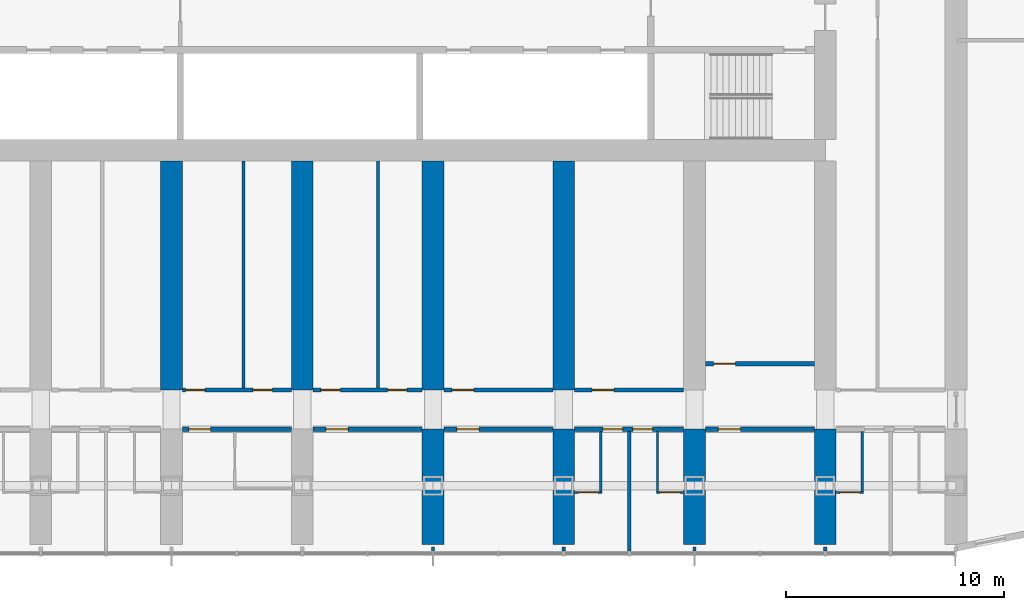
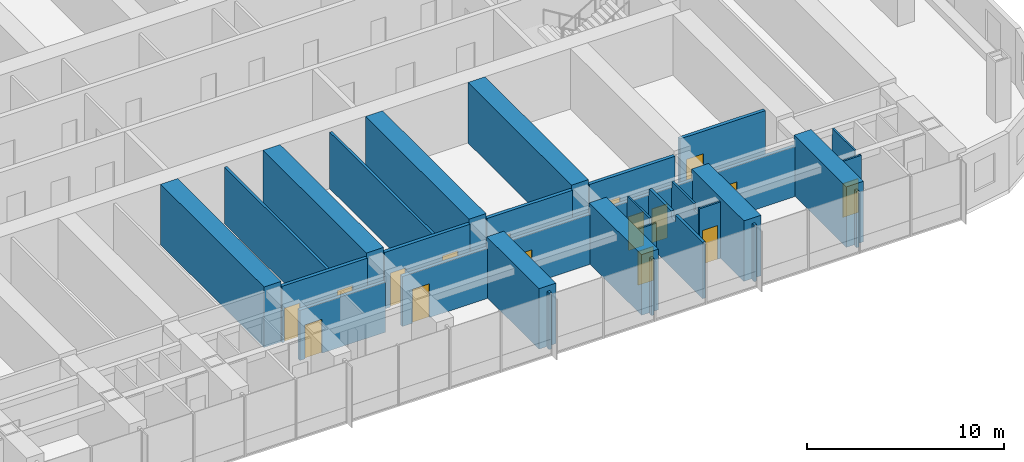
# One storey, part 12 of 23: 31 walls, 16 doors, 16 openings.
"""IFC4 building model written with IfcOpenShell, lengths in metres."""

from ifc_helpers import new_model, si_unit, direction, frame, frame_2d, origin, place, context, subcontext, project, spatial, polyline, rectangle, outline, extrude, material, layer, layer_set, type_object, element, fill, save


model = new_model("IFC4")

# Units and contexts
model_context = context("Model", 3, precision=1e-05, world=origin(), true_north=direction((0.0, 1.0)))
body_context = subcontext(model_context, "Body", "Model", "MODEL_VIEW")
ifc_project = project(units=[si_unit("LENGTHUNIT", "METRE"), si_unit("AREAUNIT", "SQUARE_METRE"), si_unit("VOLUMEUNIT", "CUBIC_METRE"), si_unit("PLANEANGLEUNIT", "RADIAN"), si_unit("MASSUNIT", "GRAM", prefix="KILO")], contexts=[model_context])

# Site, building, storey
site_placement = place(None, origin())
site = spatial("IfcSite", under=ifc_project, at=site_placement, CompositionType="ELEMENT")
building_placement = place(site_placement, origin())
building = spatial("IfcBuilding", under=site, at=building_placement, Name="Orbita Commons", CompositionType="ELEMENT")
storey_placement = place(building_placement, frame((0.0, 0.0, 46.449951171875)))
storey = spatial("IfcBuildingStorey", under=building, at=storey_placement, Name="L11", CompositionType="ELEMENT", Elevation=46.449951171875)

# Wall, opening, door
ifc_material_1 = material(Name="Concrete blockwork", Category="masonry")
ifc_layer_1 = layer(ifc_material_1, 0.199951171875)
ifc_layer_set_1 = layer_set([ifc_layer_1], Name="Concrete blockwork")
wall_type_1 = type_object("IfcWallType", Name="Corridor wall 200 blockwork", PredefinedType="SOLIDWALL", material=ifc_layer_set_1)
wall_1_placement = place(storey_placement, frame((36.5, 13.0, 0.0), z_axis=(0.0, 0.0, 1.0), x_axis=(1.0, 0.0, 0.0)))
wall_1 = element("IfcWall", 1, at=wall_1_placement, inside=storey, type_object=wall_type_1, Name="Corridor wall 200 blockwork L11", PredefinedType="SOLIDWALL", context=body_context, shape_type="SweptSolid", body=[
    extrude(outline(polyline([(0.0, 0.0), (5.0, 0.0), (5.0, 3.10009765625), (0.0, 3.10009765625), (0.0, 0.0)])), frame((0.0, 0.10009765625, 0.0), z_axis=(0.0, -1.0, 0.0), x_axis=(1.0, 0.0, 0.0)), (0.0, 0.0, 1.0), 0.199951171875),
])
opening_1_placement = place(wall_1_placement, frame((0.300048828125, 0.0, 0.0)))
opening_1 = element("IfcOpeningElement", 2, at=opening_1_placement, cuts=wall_1, Name="Opening D06", PredefinedType="OPENING", context=body_context, shape_type="SweptSolid", body=[
    extrude(rectangle(XDim=1.0, YDim=2.10009765625, at=frame_2d((0.5, 1.050048828125))), frame((0.0, 0.10986328125, 0.0), z_axis=(0.0, -1.0, 0.0), x_axis=(1.0, 0.0, 0.0)), (0.0, 0.0, 1.0), 0.219970703125),
])
ifc_material_2 = material(Name="Steel-faced fire door leaf", Category="steel")
door_type_1 = type_object("IfcDoorType", Name="Corridor door 20 min 1000x2100", OperationType="SINGLE_SWING_LEFT", PredefinedType="DOOR", material=ifc_material_2)
door_1_placement = place(opening_1_placement, origin())
door_1 = element("IfcDoor", 3, at=door_1_placement, inside=storey, type_object=door_type_1, Name="Accessible bedroom L11-S08 door", OperationType="SINGLE_SWING_LEFT", OverallHeight=2.10009765625, OverallWidth=1.0, PredefinedType="DOOR", context=body_context, shape_type="SweptSolid", body=[
    extrude(rectangle(XDim=1.0, YDim=2.10009765625, at=frame_2d((0.5, 1.050048828125))), frame((0.0, 0.02490234375, 0.0), z_axis=(0.0, -1.0, 0.0), x_axis=(1.0, 0.0, 0.0)), (0.0, 0.0, 1.0), 0.050048828125),
])
fill(opening_1, door_1)

wall_2_placement = place(storey_placement, frame((42.5, 13.0, 0.0), z_axis=(0.0, 0.0, 1.0), x_axis=(1.0, 0.0, 0.0)))
wall_2 = element("IfcWall", 4, at=wall_2_placement, inside=storey, type_object=wall_type_1, Name="Corridor wall 200 blockwork L11", PredefinedType="SOLIDWALL", context=body_context, shape_type="SweptSolid", body=[
    extrude(outline(polyline([(0.0, 0.0), (5.0, 0.0), (5.0, 3.10009765625), (0.0, 3.10009765625), (0.0, 0.0)])), frame((0.0, 0.10009765625, 0.0), z_axis=(0.0, -1.0, 0.0), x_axis=(1.0, 0.0, 0.0)), (0.0, 0.0, 1.0), 0.199951171875),
])
opening_2_placement = place(wall_2_placement, frame((0.60009765625, 0.0, 0.0)))
opening_2 = element("IfcOpeningElement", 5, at=opening_2_placement, cuts=wall_2, Name="Opening D06", PredefinedType="OPENING", context=body_context, shape_type="SweptSolid", body=[
    extrude(rectangle(XDim=1.0, YDim=2.10009765625, at=frame_2d((0.5, 1.050048828125))), frame((0.0, 0.10986328125, 0.0), z_axis=(0.0, -1.0, 0.0), x_axis=(1.0, 0.0, 0.0)), (0.0, 0.0, 1.0), 0.219970703125),
])
door_2_placement = place(opening_2_placement, origin())
door_2 = element("IfcDoor", 6, at=door_2_placement, inside=storey, type_object=door_type_1, Name="House study room L11-S10 door", OperationType="SINGLE_SWING_LEFT", OverallHeight=2.10009765625, OverallWidth=1.0, PredefinedType="DOOR", context=body_context, shape_type="SweptSolid", body=[
    extrude(rectangle(XDim=1.0, YDim=2.10009765625, at=frame_2d((0.5, 1.050048828125))), frame((0.0, 0.02490234375, 0.0), z_axis=(0.0, -1.0, 0.0), x_axis=(1.0, 0.0, 0.0)), (0.0, 0.0, 1.0), 0.050048828125),
])
fill(opening_2, door_2)

wall_3_placement = place(storey_placement, frame((48.5, 13.0, 0.0), z_axis=(0.0, 0.0, 1.0), x_axis=(1.0, 0.0, 0.0)))
wall_3 = element("IfcWall", 7, at=wall_3_placement, inside=storey, type_object=wall_type_1, Name="Corridor wall 200 blockwork L11", PredefinedType="SOLIDWALL", context=body_context, shape_type="SweptSolid", body=[
    extrude(outline(polyline([(0.0, 0.0), (5.0, 0.0), (5.0, 3.10009765625), (0.0, 3.10009765625), (0.0, 0.0)])), frame((0.0, 0.10009765625, 0.0), z_axis=(0.0, -1.0, 0.0), x_axis=(1.0, 0.0, 0.0)), (0.0, 0.0, 1.0), 0.199951171875),
])
opening_3_placement = place(wall_3_placement, frame((0.60009765625, 0.0, 0.0)))
opening_3 = element("IfcOpeningElement", 8, at=opening_3_placement, cuts=wall_3, Name="Opening D06", PredefinedType="OPENING", context=body_context, shape_type="SweptSolid", body=[
    extrude(rectangle(XDim=1.0, YDim=2.10009765625, at=frame_2d((0.5, 1.050048828125))), frame((0.0, 0.10986328125, 0.0), z_axis=(0.0, -1.0, 0.0), x_axis=(1.0, 0.0, 0.0)), (0.0, 0.0, 1.0), 0.219970703125),
])
door_3_placement = place(opening_3_placement, origin())
door_3 = element("IfcDoor", 9, at=door_3_placement, inside=storey, type_object=door_type_1, Name="House kitchen-diner L11-S12 door", OperationType="SINGLE_SWING_LEFT", OverallHeight=2.10009765625, OverallWidth=1.0, PredefinedType="DOOR", context=body_context, shape_type="SweptSolid", body=[
    extrude(rectangle(XDim=1.0, YDim=2.10009765625, at=frame_2d((0.5, 1.050048828125))), frame((0.0, 0.02490234375, 0.0), z_axis=(0.0, -1.0, 0.0), x_axis=(1.0, 0.0, 0.0)), (0.0, 0.0, 1.0), 0.050048828125),
])
fill(opening_3, door_3)

# Wall, openings, doors
wall_4_placement = place(storey_placement, frame((54.5, 13.0, 0.0), z_axis=(0.0, 0.0, 1.0), x_axis=(1.0, 0.0, 0.0)))
wall_4 = element("IfcWall", 10, at=wall_4_placement, inside=storey, type_object=wall_type_1, Name="Corridor wall 200 blockwork L11", PredefinedType="SOLIDWALL", context=body_context, shape_type="SweptSolid", body=[
    extrude(outline(polyline([(0.0, 0.0), (5.0, 0.0), (5.0, 3.10009765625), (0.0, 3.10009765625), (0.0, 0.0)])), frame((0.0, 0.10009765625, 0.0), z_axis=(0.0, -1.0, 0.0), x_axis=(1.0, 0.0, 0.0)), (0.0, 0.0, 1.0), 0.199951171875),
])
opening_4_placement = place(wall_4_placement, frame((1.300048828125, 0.0, 0.0)))
opening_4 = element("IfcOpeningElement", 11, at=opening_4_placement, cuts=wall_4, Name="Opening D11", PredefinedType="OPENING", context=body_context, shape_type="SweptSolid", body=[
    extrude(rectangle(XDim=0.89990234375, YDim=2.10009765625, at=frame_2d((0.449951171875, 1.050048828125))), frame((0.0, 0.10986328125, 0.0), z_axis=(0.0, -1.0, 0.0), x_axis=(1.0, 0.0, 0.0)), (0.0, 0.0, 1.0), 0.219970703125),
])
opening_5_placement = place(wall_4_placement, frame((2.675048828125, 0.0, 0.0)))
opening_5 = element("IfcOpeningElement", 12, at=opening_5_placement, cuts=wall_4, Name="Opening D11", PredefinedType="OPENING", context=body_context, shape_type="SweptSolid", body=[
    extrude(rectangle(XDim=0.89990234375, YDim=2.10009765625, at=frame_2d((0.449951171875, 1.050048828125))), frame((0.0, 0.10986328125, 0.0), z_axis=(0.0, -1.0, 0.0), x_axis=(1.0, 0.0, 0.0)), (0.0, 0.0, 1.0), 0.219970703125),
])
ifc_material_3 = material(Name="Steel-faced fire door leaf", Category="steel")
door_type_2 = type_object("IfcDoorType", Name="Corridor door 20 min 900x2100", OperationType="SINGLE_SWING_LEFT", PredefinedType="DOOR", material=ifc_material_3)
door_4_placement = place(opening_4_placement, origin())
door_4 = element("IfcDoor", 13, at=door_4_placement, inside=storey, type_object=door_type_2, Name="House bedroom L11-S14 door", OperationType="SINGLE_SWING_LEFT", OverallHeight=2.10009765625, OverallWidth=0.89990234375, PredefinedType="DOOR", context=body_context, shape_type="SweptSolid", body=[
    extrude(rectangle(XDim=0.89990234375, YDim=2.10009765625, at=frame_2d((0.449951171875, 1.050048828125))), frame((0.0, 0.02490234375, 0.0), z_axis=(0.0, -1.0, 0.0), x_axis=(1.0, 0.0, 0.0)), (0.0, 0.0, 1.0), 0.050048828125),
])
fill(opening_4, door_4)
door_5_placement = place(opening_5_placement, origin())
door_5 = element("IfcDoor", 14, at=door_5_placement, inside=storey, type_object=door_type_2, Name="House bedroom L11-S15 door", OperationType="SINGLE_SWING_LEFT", OverallHeight=2.10009765625, OverallWidth=0.89990234375, PredefinedType="DOOR", context=body_context, shape_type="SweptSolid", body=[
    extrude(rectangle(XDim=0.89990234375, YDim=2.10009765625, at=frame_2d((0.449951171875, 1.050048828125))), frame((0.0, 0.02490234375, 0.0), z_axis=(0.0, -1.0, 0.0), x_axis=(1.0, 0.0, 0.0)), (0.0, 0.0, 1.0), 0.050048828125),
])
fill(opening_5, door_5)

# Wall, opening, door
wall_5_placement = place(storey_placement, frame((60.5, 13.0, 0.0), z_axis=(0.0, 0.0, 1.0), x_axis=(1.0, 0.0, 0.0)))
wall_5 = element("IfcWall", 15, at=wall_5_placement, inside=storey, type_object=wall_type_1, Name="Corridor wall 200 blockwork L11", PredefinedType="SOLIDWALL", context=body_context, shape_type="SweptSolid", body=[
    extrude(outline(polyline([(0.0, 0.0), (5.0, 0.0), (5.0, 3.10009765625), (0.0, 3.10009765625), (0.0, 0.0)])), frame((0.0, 0.10009765625, 0.0), z_axis=(0.0, -1.0, 0.0), x_axis=(1.0, 0.0, 0.0)), (0.0, 0.0, 1.0), 0.199951171875),
])
opening_6_placement = place(wall_5_placement, frame((0.60009765625, 0.0, 0.0)))
opening_6 = element("IfcOpeningElement", 16, at=opening_6_placement, cuts=wall_5, Name="Opening D06", PredefinedType="OPENING", context=body_context, shape_type="SweptSolid", body=[
    extrude(rectangle(XDim=1.0, YDim=2.10009765625, at=frame_2d((0.5, 1.050048828125))), frame((0.0, 0.10986328125, 0.0), z_axis=(0.0, -1.0, 0.0), x_axis=(1.0, 0.0, 0.0)), (0.0, 0.0, 1.0), 0.219970703125),
])
door_6_placement = place(opening_6_placement, origin())
door_6 = element("IfcDoor", 17, at=door_6_placement, inside=storey, type_object=door_type_1, Name="House common room L11-S16 door", OperationType="SINGLE_SWING_LEFT", OverallHeight=2.10009765625, OverallWidth=1.0, PredefinedType="DOOR", context=body_context, shape_type="SweptSolid", body=[
    extrude(rectangle(XDim=1.0, YDim=2.10009765625, at=frame_2d((0.5, 1.050048828125))), frame((0.0, 0.02490234375, 0.0), z_axis=(0.0, -1.0, 0.0), x_axis=(1.0, 0.0, 0.0)), (0.0, 0.0, 1.0), 0.050048828125),
])
fill(opening_6, door_6)

# Wall, openings, doors
ifc_material_4 = material(Name="Hollow concrete block 200", Category="concrete")
ifc_layer_2 = layer(ifc_material_4, 0.199951171875)
ifc_layer_set_2 = layer_set([ifc_layer_2], Name="Hollow concrete block 200")
wall_type_2 = type_object("IfcWallType", Name="Corridor wall 200 hollow concrete block", PredefinedType="SOLIDWALL", material=ifc_layer_set_2)
wall_6_placement = place(storey_placement, frame((36.5, 14.800048828125, 0.0), z_axis=(0.0, 0.0, 1.0), x_axis=(1.0, 0.0, 0.0)))
wall_6 = element("IfcWall", 18, at=wall_6_placement, inside=storey, type_object=wall_type_2, Name="Corridor wall 200 hollow concrete block L11", PredefinedType="SOLIDWALL", context=body_context, shape_type="SweptSolid", body=[
    extrude(rectangle(XDim=5.0, YDim=0.199951171875, at=frame_2d((2.5, 0.0))), origin(), (0.0, 0.0, 1.0), 3.5),
])
opening_7_placement = place(wall_6_placement, frame((0.14990234375, 0.0, 0.0)))
opening_7 = element("IfcOpeningElement", 19, at=opening_7_placement, cuts=wall_6, Name="Opening D11", PredefinedType="OPENING", context=body_context, shape_type="SweptSolid", body=[
    extrude(rectangle(XDim=0.89990234375, YDim=2.10009765625, at=frame_2d((0.449951171875, 1.050048828125))), frame((0.0, 0.10986328125, 0.0), z_axis=(0.0, -1.0, 0.0), x_axis=(1.0, 0.0, 0.0)), (0.0, 0.0, 1.0), 0.219970703125),
])
opening_8_placement = place(wall_6_placement, frame((3.235107421875, 0.0, 0.0)))
opening_8 = element("IfcOpeningElement", 20, at=opening_8_placement, cuts=wall_6, Name="Opening D11", PredefinedType="OPENING", context=body_context, shape_type="SweptSolid", body=[
    extrude(rectangle(XDim=0.89990234375, YDim=2.10009765625, at=frame_2d((0.449951171875, 1.050048828125))), frame((0.0, 0.10986328125, 0.0), z_axis=(0.0, -1.0, 0.0), x_axis=(1.0, 0.0, 0.0)), (0.0, 0.0, 1.0), 0.219970703125),
])
door_7_placement = place(opening_7_placement, origin())
door_7 = element("IfcDoor", 21, at=door_7_placement, inside=storey, type_object=door_type_2, Name="Group meeting room L11-BDS36 door", OperationType="SINGLE_SWING_LEFT", OverallHeight=2.10009765625, OverallWidth=0.89990234375, PredefinedType="DOOR", context=body_context, shape_type="SweptSolid", body=[
    extrude(rectangle(XDim=0.89990234375, YDim=2.10009765625, at=frame_2d((0.449951171875, 1.050048828125))), frame((0.0, 0.02490234375, 0.0), z_axis=(0.0, -1.0, 0.0), x_axis=(1.0, 0.0, 0.0)), (0.0, 0.0, 1.0), 0.050048828125),
])
fill(opening_7, door_7)
door_8_placement = place(opening_8_placement, origin())
door_8 = element("IfcDoor", 22, at=door_8_placement, inside=storey, type_object=door_type_2, Name="Water heater cupboard L11-BDS36n door", OperationType="SINGLE_SWING_LEFT", OverallHeight=2.10009765625, OverallWidth=0.89990234375, PredefinedType="DOOR", context=body_context, shape_type="SweptSolid", body=[
    extrude(rectangle(XDim=0.89990234375, YDim=2.10009765625, at=frame_2d((0.449951171875, 1.050048828125))), frame((0.0, 0.02490234375, 0.0), z_axis=(0.0, -1.0, 0.0), x_axis=(1.0, 0.0, 0.0)), (0.0, 0.0, 1.0), 0.050048828125),
])
fill(opening_8, door_8)

wall_7_placement = place(storey_placement, frame((42.5, 14.800048828125, 0.0), z_axis=(0.0, 0.0, 1.0), x_axis=(1.0, 0.0, 0.0)))
wall_7 = element("IfcWall", 23, at=wall_7_placement, inside=storey, type_object=wall_type_2, Name="Corridor wall 200 hollow concrete block L11", PredefinedType="SOLIDWALL", context=body_context, shape_type="SweptSolid", body=[
    extrude(rectangle(XDim=5.0, YDim=0.199951171875, at=frame_2d((2.5, 0.0))), origin(), (0.0, 0.0, 1.0), 3.5),
])
opening_9_placement = place(wall_7_placement, frame((0.35009765625, 0.0, 0.0)))
opening_9 = element("IfcOpeningElement", 24, at=opening_9_placement, cuts=wall_7, Name="Opening D11", PredefinedType="OPENING", context=body_context, shape_type="SweptSolid", body=[
    extrude(rectangle(XDim=0.89990234375, YDim=2.10009765625, at=frame_2d((0.449951171875, 1.050048828125))), frame((0.0, 0.10986328125, 0.0), z_axis=(0.0, -1.0, 0.0), x_axis=(1.0, 0.0, 0.0)), (0.0, 0.0, 1.0), 0.219970703125),
])
opening_10_placement = place(wall_7_placement, frame((3.405029296875, 0.0, 0.0)))
opening_10 = element("IfcOpeningElement", 25, at=opening_10_placement, cuts=wall_7, Name="Opening D11", PredefinedType="OPENING", context=body_context, shape_type="SweptSolid", body=[
    extrude(rectangle(XDim=0.89990234375, YDim=2.10009765625, at=frame_2d((0.449951171875, 1.050048828125))), frame((0.0, 0.10986328125, 0.0), z_axis=(0.0, -1.0, 0.0), x_axis=(1.0, 0.0, 0.0)), (0.0, 0.0, 1.0), 0.219970703125),
])
door_9_placement = place(opening_9_placement, origin())
door_9 = element("IfcDoor", 26, at=door_9_placement, inside=storey, type_object=door_type_2, Name="Equipment store L11-BDS42n door", OperationType="SINGLE_SWING_LEFT", OverallHeight=2.10009765625, OverallWidth=0.89990234375, PredefinedType="DOOR", context=body_context, shape_type="SweptSolid", body=[
    extrude(rectangle(XDim=0.89990234375, YDim=2.10009765625, at=frame_2d((0.449951171875, 1.050048828125))), frame((0.0, 0.02490234375, 0.0), z_axis=(0.0, -1.0, 0.0), x_axis=(1.0, 0.0, 0.0)), (0.0, 0.0, 1.0), 0.050048828125),
])
fill(opening_9, door_9)
door_10_placement = place(opening_10_placement, origin())
door_10 = element("IfcDoor", 27, at=door_10_placement, inside=storey, type_object=door_type_2, Name="Linen store L11-BDS42 door", OperationType="SINGLE_SWING_LEFT", OverallHeight=2.10009765625, OverallWidth=0.89990234375, PredefinedType="DOOR", context=body_context, shape_type="SweptSolid", body=[
    extrude(rectangle(XDim=0.89990234375, YDim=2.10009765625, at=frame_2d((0.449951171875, 1.050048828125))), frame((0.0, 0.02490234375, 0.0), z_axis=(0.0, -1.0, 0.0), x_axis=(1.0, 0.0, 0.0)), (0.0, 0.0, 1.0), 0.050048828125),
])
fill(opening_10, door_10)

# Wall, opening, door
wall_8_placement = place(storey_placement, frame((48.5, 14.800048828125, 0.0), z_axis=(0.0, 0.0, 1.0), x_axis=(1.0, 0.0, 0.0)))
wall_8 = element("IfcWall", 28, at=wall_8_placement, inside=storey, type_object=wall_type_2, Name="Corridor wall 200 hollow concrete block L11", PredefinedType="SOLIDWALL", context=body_context, shape_type="SweptSolid", body=[
    extrude(rectangle(XDim=5.0, YDim=0.199951171875, at=frame_2d((2.5, 0.0))), origin(), (0.0, 0.0, 1.0), 3.5),
])
opening_11_placement = place(wall_8_placement, frame((0.375, 0.0, 0.0)))
opening_11 = element("IfcOpeningElement", 29, at=opening_11_placement, cuts=wall_8, Name="Opening D06", PredefinedType="OPENING", context=body_context, shape_type="SweptSolid", body=[
    extrude(rectangle(XDim=1.0, YDim=2.10009765625, at=frame_2d((0.5, 1.050048828125))), frame((0.0, 0.10986328125, 0.0), z_axis=(0.0, -1.0, 0.0), x_axis=(1.0, 0.0, 0.0)), (0.0, 0.0, 1.0), 0.219970703125),
])
door_11_placement = place(opening_11_placement, origin())
door_11 = element("IfcDoor", 30, at=door_11_placement, inside=storey, type_object=door_type_1, Name="Drying room L11-BDS48 door", OperationType="SINGLE_SWING_LEFT", OverallHeight=2.10009765625, OverallWidth=1.0, PredefinedType="DOOR", context=body_context, shape_type="SweptSolid", body=[
    extrude(rectangle(XDim=1.0, YDim=2.10009765625, at=frame_2d((0.5, 1.050048828125))), frame((0.0, 0.02490234375, 0.0), z_axis=(0.0, -1.0, 0.0), x_axis=(1.0, 0.0, 0.0)), (0.0, 0.0, 1.0), 0.050048828125),
])
fill(opening_11, door_11)

wall_9_placement = place(storey_placement, frame((54.5, 14.800048828125, 0.0), z_axis=(0.0, 0.0, 1.0), x_axis=(1.0, 0.0, 0.0)))
wall_9 = element("IfcWall", 31, at=wall_9_placement, inside=storey, type_object=wall_type_2, Name="Corridor wall 200 hollow concrete block L11", PredefinedType="SOLIDWALL", context=body_context, shape_type="SweptSolid", body=[
    extrude(rectangle(XDim=5.0, YDim=0.199951171875, at=frame_2d((2.5, 0.0))), origin(), (0.0, 0.0, 1.0), 3.5),
])
opening_12_placement = place(wall_9_placement, frame((0.800048828125, 0.0, 0.0)))
opening_12 = element("IfcOpeningElement", 32, at=opening_12_placement, cuts=wall_9, Name="Opening D06", PredefinedType="OPENING", context=body_context, shape_type="SweptSolid", body=[
    extrude(rectangle(XDim=1.0, YDim=2.10009765625, at=frame_2d((0.5, 1.050048828125))), frame((0.0, 0.10986328125, 0.0), z_axis=(0.0, -1.0, 0.0), x_axis=(1.0, 0.0, 0.0)), (0.0, 0.0, 1.0), 0.219970703125),
])
door_12_placement = place(opening_12_placement, origin())
door_12 = element("IfcDoor", 33, at=door_12_placement, inside=storey, type_object=door_type_1, Name="Ventilation plant room north L11-BDS54 door", OperationType="SINGLE_SWING_LEFT", OverallHeight=2.10009765625, OverallWidth=1.0, PredefinedType="DOOR", context=body_context, shape_type="SweptSolid", body=[
    extrude(rectangle(XDim=1.0, YDim=2.10009765625, at=frame_2d((0.5, 1.050048828125))), frame((0.0, 0.02490234375, 0.0), z_axis=(0.0, -1.0, 0.0), x_axis=(1.0, 0.0, 0.0)), (0.0, 0.0, 1.0), 0.050048828125),
])
fill(opening_12, door_12)

wall_10_placement = place(storey_placement, frame((60.5, 16.0, 0.0), z_axis=(0.0, 0.0, 1.0), x_axis=(1.0, 0.0, 0.0)))
wall_10 = element("IfcWall", 34, at=wall_10_placement, inside=storey, type_object=wall_type_2, Name="Corridor wall 200 hollow concrete block L11", PredefinedType="SOLIDWALL", context=body_context, shape_type="SweptSolid", body=[
    extrude(rectangle(XDim=5.0, YDim=0.199951171875, at=frame_2d((2.5, 0.0))), origin(), (0.0, 0.0, 1.0), 3.5),
])
opening_13_placement = place(wall_10_placement, frame((0.375, 0.0, 0.0)))
opening_13 = element("IfcOpeningElement", 35, at=opening_13_placement, cuts=wall_10, Name="Opening D06", PredefinedType="OPENING", context=body_context, shape_type="SweptSolid", body=[
    extrude(rectangle(XDim=1.0, YDim=2.10009765625, at=frame_2d((0.5, 1.050048828125))), frame((0.0, 0.10986328125, 0.0), z_axis=(0.0, -1.0, 0.0), x_axis=(1.0, 0.0, 0.0)), (0.0, 0.0, 1.0), 0.219970703125),
])
door_13_placement = place(opening_13_placement, origin())
door_13 = element("IfcDoor", 36, at=door_13_placement, inside=storey, type_object=door_type_1, Name="Electrical and data room L11-BDS60 door", OperationType="SINGLE_SWING_LEFT", OverallHeight=2.10009765625, OverallWidth=1.0, PredefinedType="DOOR", context=body_context, shape_type="SweptSolid", body=[
    extrude(rectangle(XDim=1.0, YDim=2.10009765625, at=frame_2d((0.5, 1.050048828125))), frame((0.0, 0.02490234375, 0.0), z_axis=(0.0, -1.0, 0.0), x_axis=(1.0, 0.0, 0.0)), (0.0, 0.0, 1.0), 0.050048828125),
])
fill(opening_13, door_13)

# Walls
ifc_material_5 = material(Name="Concrete C50/60", Category="concrete")
ifc_layer_3 = layer(ifc_material_5, 1.0)
ifc_layer_set_3 = layer_set([ifc_layer_3], Name="Concrete C50/60")
wall_type_3 = type_object("IfcWallType", Name="Cross wall 1000 C50/60", PredefinedType="SHEAR", material=ifc_layer_set_3)
for number, where, z_axis, x_axis, name in (
    (37, (36.0, 14.800048828125, 0.0), (0.0, 0.0, 1.0), (0.0, 1.0, 0.0), "Cross wall 7 south inner L11"),
    (38, (42.0, 14.800048828125, 0.0), (0.0, 0.0, 1.0), (0.0, 1.0, 0.0), "Cross wall 8 south inner L11"),
):
    element("IfcWall", number, at=place(storey_placement, frame(where, z_axis=z_axis, x_axis=x_axis)), inside=storey, type_object=wall_type_3, Name=name, PredefinedType="SHEAR", context=body_context, shape_type="SweptSolid", body=[
        extrude(rectangle(XDim=10.5, YDim=1.0, at=frame_2d((5.25, 0.0))), origin(), (0.0, 0.0, 1.0), 3.75),
    ])
wall_11_placement = place(storey_placement, frame((48.0, 7.699951171875, 0.0), z_axis=(0.0, 0.0, 1.0), x_axis=(0.0, 1.0, 0.0)))
element("IfcWall", 39, at=wall_11_placement, inside=storey, type_object=wall_type_3, Name="Cross wall 9 south outer L11", PredefinedType="SHEAR", context=body_context, shape_type="SweptSolid", body=[
    extrude(rectangle(XDim=5.300048828125, YDim=1.0, at=frame_2d((2.64990234375, 0.0))), origin(), (0.0, 0.0, 1.0), 3.75),
])
wall_12_placement = place(storey_placement, frame((48.0, 14.800048828125, 0.0), z_axis=(0.0, 0.0, 1.0), x_axis=(0.0, 1.0, 0.0)))
element("IfcWall", 40, at=wall_12_placement, inside=storey, type_object=wall_type_3, Name="Cross wall 9 south inner L11", PredefinedType="SHEAR", context=body_context, shape_type="SweptSolid", body=[
    extrude(rectangle(XDim=10.5, YDim=1.0, at=frame_2d((5.25, 0.0))), origin(), (0.0, 0.0, 1.0), 3.75),
])
wall_13_placement = place(storey_placement, frame((54.0, 7.699951171875, 0.0), z_axis=(0.0, 0.0, 1.0), x_axis=(0.0, 1.0, 0.0)))
element("IfcWall", 41, at=wall_13_placement, inside=storey, type_object=wall_type_3, Name="Cross wall 10 south outer L11", PredefinedType="SHEAR", context=body_context, shape_type="SweptSolid", body=[
    extrude(rectangle(XDim=5.300048828125, YDim=1.0, at=frame_2d((2.64990234375, 0.0))), origin(), (0.0, 0.0, 1.0), 3.75),
])
wall_14_placement = place(storey_placement, frame((54.0, 14.800048828125, 0.0), z_axis=(0.0, 0.0, 1.0), x_axis=(0.0, 1.0, 0.0)))
element("IfcWall", 42, at=wall_14_placement, inside=storey, type_object=wall_type_3, Name="Cross wall 10 south inner L11", PredefinedType="SHEAR", context=body_context, shape_type="SweptSolid", body=[
    extrude(rectangle(XDim=10.5, YDim=1.0, at=frame_2d((5.25, 0.0))), origin(), (0.0, 0.0, 1.0), 3.75),
])
for number, where, z_axis, x_axis, name in (
    (43, (60.0, 7.699951171875, 0.0), (0.0, 0.0, 1.0), (0.0, 1.0, 0.0), "Cross wall 11 south outer L11"),
    (44, (66.0, 7.699951171875, 0.0), (0.0, 0.0, 1.0), (0.0, 1.0, 0.0), "Cross wall 12 south outer L11"),
):
    element("IfcWall", number, at=place(storey_placement, frame(where, z_axis=z_axis, x_axis=x_axis)), inside=storey, type_object=wall_type_3, Name=name, PredefinedType="SHEAR", context=body_context, shape_type="SweptSolid", body=[
        extrude(rectangle(XDim=5.300048828125, YDim=1.0, at=frame_2d((2.64990234375, 0.0))), origin(), (0.0, 0.0, 1.0), 3.75),
    ])

# Wall, opening, door
ifc_material_6 = material(Name="Moisture-resistant plasterboard on steel studs", Category="steel")
ifc_layer_4 = layer(ifc_material_6, 0.10009765625)
ifc_layer_set_4 = layer_set([ifc_layer_4], Name="Moisture-resistant plasterboard on steel studs")
wall_type_4 = type_object("IfcWallType", Name="En-suite partition 100", PredefinedType="PARTITIONING", material=ifc_layer_set_4)
wall_15_placement = place(storey_placement, frame((55.75, 10.10009765625, 0.0), z_axis=(0.0, 0.0, 1.0), x_axis=(-1.0, 0.0, 0.0)))
wall_15 = element("IfcWall", 45, at=wall_15_placement, inside=storey, type_object=wall_type_4, Name="En-suite partition 100 L11", PredefinedType="PARTITIONING", context=body_context, shape_type="SweptSolid", body=[
    extrude(rectangle(XDim=1.300048828125, YDim=0.10009765625, at=frame_2d((0.64990234375, 0.0))), origin(), (0.0, 0.0, 1.0), 3.5),
])
opening_14_placement = place(wall_15_placement, frame((0.175048828125, 0.0, 0.0)))
opening_14 = element("IfcOpeningElement", 46, at=opening_14_placement, cuts=wall_15, Name="Opening D09", PredefinedType="OPENING", context=body_context, shape_type="SweptSolid", body=[
    extrude(rectangle(XDim=0.89990234375, YDim=2.10009765625, at=frame_2d((0.449951171875, 1.050048828125))), frame((0.0, 0.06005859375, 0.0), z_axis=(0.0, -1.0, 0.0), x_axis=(1.0, 0.0, 0.0)), (0.0, 0.0, 1.0), 0.1201171875),
])
ifc_material_7 = material(Name="Laminated timber door leaf", Category="wood")
door_type_3 = type_object("IfcDoorType", Name="En-suite door 900x2100", OperationType="SINGLE_SWING_RIGHT", PredefinedType="DOOR", material=ifc_material_7)
door_14_placement = place(opening_14_placement, origin())
door_14 = element("IfcDoor", 47, at=door_14_placement, inside=storey, type_object=door_type_3, Name="En-suite L11-S14 door", OperationType="SINGLE_SWING_RIGHT", OverallHeight=2.10009765625, OverallWidth=0.89990234375, PredefinedType="DOOR", context=body_context, shape_type="SweptSolid", body=[
    extrude(rectangle(XDim=0.89990234375, YDim=2.10009765625, at=frame_2d((0.449951171875, 1.050048828125))), frame((0.0, 0.02490234375, 0.0), z_axis=(0.0, -1.0, 0.0), x_axis=(1.0, 0.0, 0.0)), (0.0, 0.0, 1.0), 0.050048828125),
])
fill(opening_14, door_14)

# Wall
wall_16_placement = place(storey_placement, frame((55.699951171875, 10.14990234375, 0.0), z_axis=(0.0, 0.0, 1.0), x_axis=(0.0, 1.0, 0.0)))
element("IfcWall", 48, at=wall_16_placement, inside=storey, type_object=wall_type_4, Name="En-suite partition 100 L11", PredefinedType="PARTITIONING", context=body_context, shape_type="SweptSolid", body=[
    extrude(outline(polyline([(0.0, 0.0), (2.75, 0.0), (2.75, 3.10009765625), (2.701904296875, 3.10009765625), (2.699951171875, 3.5), (0.451904296875, 3.5), (0.449951171875, 3.10009765625), (0.052001953125, 3.10009765625), (0.050048828125, 3.5), (0.0, 3.5), (0.0, 0.0)])), frame((0.0, 0.050048828125, 0.0), z_axis=(0.0, -1.0, 0.0), x_axis=(1.0, 0.0, 0.0)), (0.0, 0.0, 1.0), 0.10009765625),
])

# Wall, opening, door
wall_17_placement = place(storey_placement, frame((59.550048828125, 10.10009765625, 0.0), z_axis=(0.0, 0.0, 1.0), x_axis=(-1.0, 0.0, 0.0)))
wall_17 = element("IfcWall", 49, at=wall_17_placement, inside=storey, type_object=wall_type_4, Name="En-suite partition 100 L11", PredefinedType="PARTITIONING", context=body_context, shape_type="SweptSolid", body=[
    extrude(rectangle(XDim=1.300048828125, YDim=0.10009765625, at=frame_2d((0.64990234375, 0.0))), origin(), (0.0, 0.0, 1.0), 3.5),
])
opening_15_placement = place(wall_17_placement, frame((0.22509765625, 0.0, 0.0)))
opening_15 = element("IfcOpeningElement", 50, at=opening_15_placement, cuts=wall_17, Name="Opening D09", PredefinedType="OPENING", context=body_context, shape_type="SweptSolid", body=[
    extrude(rectangle(XDim=0.89990234375, YDim=2.10009765625, at=frame_2d((0.449951171875, 1.050048828125))), frame((0.0, 0.06005859375, 0.0), z_axis=(0.0, -1.0, 0.0), x_axis=(1.0, 0.0, 0.0)), (0.0, 0.0, 1.0), 0.1201171875),
])
door_15_placement = place(opening_15_placement, origin())
door_15 = element("IfcDoor", 51, at=door_15_placement, inside=storey, type_object=door_type_3, Name="En-suite L11-S15 door", OperationType="SINGLE_SWING_RIGHT", OverallHeight=2.10009765625, OverallWidth=0.89990234375, PredefinedType="DOOR", context=body_context, shape_type="SweptSolid", body=[
    extrude(rectangle(XDim=0.89990234375, YDim=2.10009765625, at=frame_2d((0.449951171875, 1.050048828125))), frame((0.0, 0.02490234375, 0.0), z_axis=(0.0, -1.0, 0.0), x_axis=(1.0, 0.0, 0.0)), (0.0, 0.0, 1.0), 0.050048828125),
])
fill(opening_15, door_15)

# Wall
wall_18_placement = place(storey_placement, frame((58.300048828125, 10.14990234375, 0.0), z_axis=(0.0, 0.0, 1.0), x_axis=(0.0, 1.0, 0.0)))
element("IfcWall", 52, at=wall_18_placement, inside=storey, type_object=wall_type_4, Name="En-suite partition 100 L11", PredefinedType="PARTITIONING", context=body_context, shape_type="SweptSolid", body=[
    extrude(outline(polyline([(0.0, 0.0), (2.75, 0.0), (2.75, 3.10009765625), (2.701904296875, 3.10009765625), (2.699951171875, 3.5), (0.451904296875, 3.5), (0.449951171875, 3.10009765625), (0.052001953125, 3.10009765625), (0.050048828125, 3.5), (0.0, 3.5), (0.0, 0.0)])), frame((0.0, 0.050048828125, 0.0), z_axis=(0.0, -1.0, 0.0), x_axis=(1.0, 0.0, 0.0)), (0.0, 0.0, 1.0), 0.10009765625),
])

# Wall, opening, door
wall_19_placement = place(storey_placement, frame((67.75, 10.10009765625, 0.0), z_axis=(0.0, 0.0, 1.0), x_axis=(-1.0, 0.0, 0.0)))
wall_19 = element("IfcWall", 53, at=wall_19_placement, inside=storey, type_object=wall_type_4, Name="En-suite partition 100 L11", PredefinedType="PARTITIONING", context=body_context, shape_type="SweptSolid", body=[
    extrude(rectangle(XDim=1.300048828125, YDim=0.10009765625, at=frame_2d((0.64990234375, 0.0))), origin(), (0.0, 0.0, 1.0), 3.5),
])
opening_16_placement = place(wall_19_placement, frame((0.175048828125, 0.0, 0.0)))
opening_16 = element("IfcOpeningElement", 54, at=opening_16_placement, cuts=wall_19, Name="Opening D09", PredefinedType="OPENING", context=body_context, shape_type="SweptSolid", body=[
    extrude(rectangle(XDim=0.89990234375, YDim=2.10009765625, at=frame_2d((0.449951171875, 1.050048828125))), frame((0.0, 0.06005859375, 0.0), z_axis=(0.0, -1.0, 0.0), x_axis=(1.0, 0.0, 0.0)), (0.0, 0.0, 1.0), 0.1201171875),
])
door_16_placement = place(opening_16_placement, origin())
door_16 = element("IfcDoor", 55, at=door_16_placement, inside=storey, type_object=door_type_3, Name="En-suite L11-S18 door", OperationType="SINGLE_SWING_RIGHT", OverallHeight=2.10009765625, OverallWidth=0.89990234375, PredefinedType="DOOR", context=body_context, shape_type="SweptSolid", body=[
    extrude(rectangle(XDim=0.89990234375, YDim=2.10009765625, at=frame_2d((0.449951171875, 1.050048828125))), frame((0.0, 0.02490234375, 0.0), z_axis=(0.0, -1.0, 0.0), x_axis=(1.0, 0.0, 0.0)), (0.0, 0.0, 1.0), 0.050048828125),
])
fill(opening_16, door_16)

# Walls
wall_20_placement = place(storey_placement, frame((67.699951171875, 10.14990234375, 0.0), z_axis=(0.0, 0.0, 1.0), x_axis=(0.0, 1.0, 0.0)))
element("IfcWall", 56, at=wall_20_placement, inside=storey, type_object=wall_type_4, Name="En-suite partition 100 L11", PredefinedType="PARTITIONING", context=body_context, shape_type="SweptSolid", body=[
    extrude(outline(polyline([(0.0, 0.0), (2.75, 0.0), (2.75, 3.10009765625), (2.701904296875, 3.10009765625), (2.699951171875, 3.5), (0.451904296875, 3.5), (0.449951171875, 3.10009765625), (0.052001953125, 3.10009765625), (0.050048828125, 3.5), (0.0, 3.5), (0.0, 0.0)])), frame((0.0, 0.050048828125, 0.0), z_axis=(0.0, -1.0, 0.0), x_axis=(1.0, 0.0, 0.0)), (0.0, 0.0, 1.0), 0.10009765625),
])
ifc_material_8 = material(Name="Gypsum plasterboard on steel studs", Category="steel")
ifc_layer_5 = layer(ifc_material_8, 0.14990234375)
ifc_layer_set_5 = layer_set([ifc_layer_5], Name="Gypsum plasterboard on steel studs")
wall_type_5 = type_object("IfcWallType", Name="Partition 150 plasterboard", PredefinedType="PARTITIONING", material=ifc_layer_set_5)
for number, where, z_axis, x_axis, name in (
    (57, (39.31005859375, 14.89990234375, 0.0), (0.0, 0.0, 1.0), (0.0, 1.0, 0.0), "Partition 150 plasterboard L11"),
    (58, (45.47998046875, 14.89990234375, 0.0), (0.0, 0.0, 1.0), (0.0, 1.0, 0.0), "Partition 150 plasterboard L11"),
):
    element("IfcWall", number, at=place(storey_placement, frame(where, z_axis=z_axis, x_axis=x_axis)), inside=storey, type_object=wall_type_5, Name=name, PredefinedType="PARTITIONING", context=body_context, shape_type="SweptSolid", body=[
        extrude(rectangle(XDim=10.400146484375, YDim=0.14990234375, at=frame_2d((5.2001953125, 0.0))), origin(), (0.0, 0.0, 1.0), 3.5),
    ])
for number, where, z_axis, x_axis, name in (
    (59, (48.0, 7.60009765625, 0.0), (0.0, 0.0, 1.0), (0.0, -1.0, 0.0), "Partition 150 plasterboard L11"),
    (60, (54.0, 7.60009765625, 0.0), (0.0, 0.0, 1.0), (0.0, -1.0, 0.0), "Partition 150 plasterboard L11"),
    (61, (60.0, 7.60009765625, 0.0), (0.0, 0.0, 1.0), (0.0, -1.0, 0.0), "Partition 150 plasterboard L11"),
    (62, (66.0, 7.60009765625, 0.0), (0.0, 0.0, 1.0), (0.0, -1.0, 0.0), "Partition 150 plasterboard L11"),
):
    element("IfcWall", number, at=place(storey_placement, frame(where, z_axis=z_axis, x_axis=x_axis)), inside=storey, type_object=wall_type_5, Name=name, PredefinedType="PARTITIONING", context=body_context, shape_type="SweptSolid", body=[
        extrude(rectangle(XDim=0.190185546875, YDim=0.14990234375, at=frame_2d((0.09521484375, 0.0))), origin(), (0.0, 0.0, 1.0), 3.5),
    ])
ifc_material_9 = material(Name="Gypsum plasterboard on steel studs", Category="steel")
ifc_layer_6 = layer(ifc_material_9, 0.14990234375)
ifc_layer_set_6 = layer_set([ifc_layer_6], Name="Gypsum plasterboard on steel studs")
wall_type_6 = type_object("IfcWallType", Name="Party wall 150 plasterboard", PredefinedType="PARTITIONING", material=ifc_layer_set_6)
wall_21_placement = place(storey_placement, frame((57.0, 7.409912109375, 0.0), z_axis=(0.0, 0.0, 1.0), x_axis=(0.0, 1.0, 0.0)))
element("IfcWall", 63, at=wall_21_placement, inside=storey, type_object=wall_type_6, Name="Party wall 150 plasterboard L11", PredefinedType="PARTITIONING", context=body_context, shape_type="SweptSolid", body=[
    extrude(outline(polyline([(0.0, 0.0), (5.489990234375, 0.0), (5.489990234375, 3.10009765625), (5.44189453125, 3.10009765625), (5.43994140625, 3.5), (3.19189453125, 3.5), (3.18994140625, 3.10009765625), (2.7919921875, 3.10009765625), (2.7900390625, 3.5), (0.0, 3.5), (0.0, 0.0)])), frame((0.0, 0.074951171875, 0.0), z_axis=(0.0, -1.0, 0.0), x_axis=(1.0, 0.0, 0.0)), (0.0, 0.0, 1.0), 0.14990234375),
])

save(model, "model.ifc")
